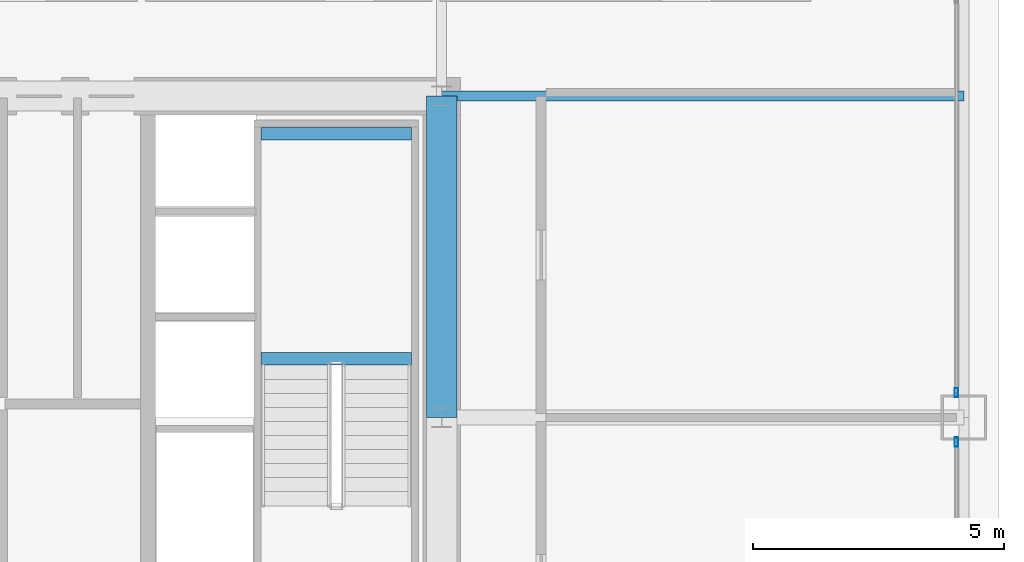
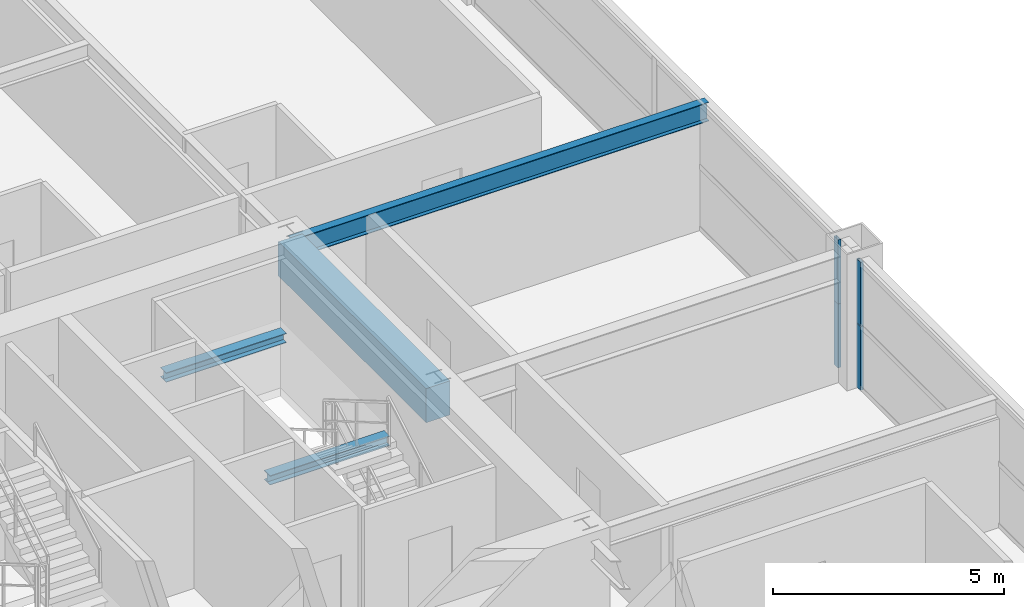
# One storey, part 20 of 39: 4 beams, 4 members, 2 elements without a shape of their own.
"""IFC4 building model written with IfcOpenShell, lengths in metres."""

from ifc_helpers import new_model, si_unit, direction, frame, origin, origin_2d, place, context, subcontext, project, spatial, rectangle, hollow_rectangle, i_section, extrude, source, transform, mapped, material, layer, layer_set, material_profile, profile_set, type_object, element, aggregate, save


model = new_model("IFC4")

# Units and contexts
model_context = context("Model", 3, precision=1e-05, world=origin(), true_north=direction((0.0, 1.0)))
body_context = subcontext(model_context, "Body", "Model", "MODEL_VIEW")
ifc_project = project(units=[si_unit("LENGTHUNIT", "METRE"), si_unit("AREAUNIT", "SQUARE_METRE"), si_unit("VOLUMEUNIT", "CUBIC_METRE"), si_unit("PLANEANGLEUNIT", "RADIAN"), si_unit("MASSUNIT", "GRAM", prefix="KILO"), si_unit("THERMODYNAMICTEMPERATUREUNIT", "KELVIN"), si_unit("POWERUNIT", "WATT")], contexts=[model_context])

# Site, building, storey
site_placement = place(None, origin())
site = spatial("IfcSite", under=ifc_project, at=site_placement, CompositionType="ELEMENT")
building_placement = place(site_placement, origin())
building = spatial("IfcBuilding", under=site, at=building_placement, Name="Yuzanri Waterfront Tower", CompositionType="ELEMENT")
storey_placement = place(building_placement, frame((0.0, 0.0, 156.0)))
storey = spatial("IfcBuildingStorey", under=building, at=storey_placement, Name="L41", CompositionType="ELEMENT", Elevation=156.0)

# Beams
ifc_material_1 = material(Name="Concrete C60", Category="concrete")
ifc_material_profile_1 = material_profile(ifc_material_1, rectangle(XDim=0.60009765625, YDim=0.89990234375, at=origin_2d()), Name="RC 600x900")
ifc_profile_set_1 = profile_set([ifc_material_profile_1], Name="Concrete C60")
beam_type_1 = type_object("IfcBeamType", Name="Core Coupling Lintel Concrete C60 600x900", PredefinedType="LINTEL", material=ifc_profile_set_1)
shared_shape_1 = source(origin(), body_context, "Body", "SweptSolid", [
    extrude(rectangle(XDim=0.60009765625, YDim=0.89990234375, at=origin_2d()), origin(), (0.0, 0.0, 1.0), 6.39990234375),
])
beam_1_placement = place(storey_placement, frame((50.199951171875, 25.800048828125, 2.929931640625), z_axis=(0.0, 1.0, 0.0), x_axis=(-1.0, 0.0, 0.0)))
element("IfcBeam", 1, at=beam_1_placement, inside=storey, type_object=beam_type_1, Name="L41 Core Tie Beam CE2", PredefinedType="LINTEL", context=body_context, shape_type="MappedRepresentation", body=[
    mapped(shared_shape_1, transform((0.0, 0.0, 0.0), scale=1.0)),
])
ifc_material_2 = material(Name="Steel Q355B", Category="steel")
ifc_material_profile_2 = material_profile(ifc_material_2, i_section(OverallWidth=0.199951171875, OverallDepth=0.5, WebThickness=0.010009765625, FlangeThickness=0.01611328125, at=origin_2d()), Name="HN 500x200x10x16")
ifc_profile_set_2 = profile_set([ifc_material_profile_2], Name="Steel Q355B")
beam_type_2 = type_object("IfcBeamType", Name="Secondary Floor Beam Q355B HN 500x200", PredefinedType="BEAM", material=ifc_profile_set_2)
shared_shape_2 = source(origin(), body_context, "Body", "SweptSolid", [
    extrude(i_section(OverallWidth=0.199951171875, OverallDepth=0.5, WebThickness=0.010009765625, FlangeThickness=0.01611328125, at=origin_2d()), origin(), (0.0, 0.0, 1.0), 10.400146484375),
])
beam_2_placement = place(storey_placement, frame((50.199951171875, 32.199951171875, 3.1298828125), z_axis=(1.0, 0.0, 0.0), x_axis=(0.0, 1.0, 0.0)))
element("IfcBeam", 2, at=beam_2_placement, inside=storey, type_object=beam_type_2, Name="L41 East-North Core Line Beam", PredefinedType="BEAM", context=body_context, shape_type="MappedRepresentation", body=[
    mapped(shared_shape_2, transform((0.0, 0.0, 0.0), scale=1.0)),
])

# Curtain wall, members
ifc_material_3 = material(Name="Anodized Architectural Bronze", Category="metal")
ifc_layer = layer(ifc_material_3, 0.159912109375)
ifc_layer_set = layer_set([ifc_layer], Name="Anodized Architectural Bronze")
curtain_wall_type = type_object("IfcCurtainWallType", Name="Anodized Bronze Hotel Upper-Tier Solar-Control Unitized Curtain Wall 7800", PredefinedType="NOTDEFINED", material=ifc_layer_set)
curtain_wall_1_placement = place(storey_placement, origin())
curtain_wall_1 = element("IfcCurtainWall", 3, at=curtain_wall_1_placement, inside=storey, type_object=curtain_wall_type, Name="L41 Curtain Wall CW-L41-EL", PredefinedType="NOTDEFINED")
ifc_material_4 = material(Name="Anodized Architectural Bronze", Category="metal")
ifc_material_profile_3 = material_profile(ifc_material_4, hollow_rectangle(XDim=0.070068359375, YDim=0.179931640625, WallThickness=0.00390625, at=origin_2d()), Name="CWM 70x180")
ifc_profile_set_3 = profile_set([ifc_material_profile_3], Name="Anodized Architectural Bronze")
member_type = type_object("IfcMemberType", Name="Anodized Bronze Standard Curtain-Wall Mullion 70x180", PredefinedType="MULLION", material=ifc_profile_set_3)
shared_shape_3 = source(origin(), body_context, "Body", "SweptSolid", [
    extrude(hollow_rectangle(XDim=0.070068359375, YDim=0.179931640625, WallThickness=0.00390625, at=origin_2d()), origin(), (0.0, 0.0, 1.0), 1.68798828125),
])
member_1_placement = place(storey_placement, frame((60.449951171875, 25.31005859375, 0.0), z_axis=(0.0, 0.0, 1.0), x_axis=(1.0, 0.0, 0.0)))
member_1 = element("IfcMember", 4, at=member_1_placement, type_object=member_type, Name="CW-L41-EL Lower Mullion 02", PredefinedType="MULLION", context=body_context, shape_type="MappedRepresentation", body=[
    mapped(shared_shape_3, transform((0.0, 0.0, 0.0), scale=1.0)),
])
member_2_placement = place(storey_placement, frame((60.449951171875, 25.31005859375, 1.69189453125), z_axis=(0.0, 0.0, 1.0), x_axis=(1.0, 0.0, 0.0)))
member_2 = element("IfcMember", 5, at=member_2_placement, type_object=member_type, Name="CW-L41-EL Upper Mullion 02", PredefinedType="MULLION", context=body_context, shape_type="MappedRepresentation", body=[
    mapped(shared_shape_3, transform((0.0, 0.0, 0.0), scale=1.0)),
])
aggregate(curtain_wall_1, [member_1, member_2])

curtain_wall_2_placement = place(storey_placement, origin())
curtain_wall_2 = element("IfcCurtainWall", 6, at=curtain_wall_2_placement, inside=storey, type_object=curtain_wall_type, Name="L41 Curtain Wall CW-L41-ER", PredefinedType="NOTDEFINED")
member_3_placement = place(storey_placement, frame((60.449951171875, 26.2900390625, 0.0), z_axis=(0.0, 0.0, 1.0), x_axis=(1.0, 0.0, 0.0)))
member_3 = element("IfcMember", 7, at=member_3_placement, type_object=member_type, Name="CW-L41-ER Lower Mullion 00", PredefinedType="MULLION", context=body_context, shape_type="MappedRepresentation", body=[
    mapped(shared_shape_3, transform((0.0, 0.0, 0.0), scale=1.0)),
])
member_4_placement = place(storey_placement, frame((60.449951171875, 26.2900390625, 1.69189453125), z_axis=(0.0, 0.0, 1.0), x_axis=(1.0, 0.0, 0.0)))
member_4 = element("IfcMember", 8, at=member_4_placement, type_object=member_type, Name="CW-L41-ER Upper Mullion 00", PredefinedType="MULLION", context=body_context, shape_type="MappedRepresentation", body=[
    mapped(shared_shape_3, transform((0.0, 0.0, 0.0), scale=1.0)),
])
aggregate(curtain_wall_2, [member_3, member_4])

# Beams
ifc_material_5 = material(Name="Steel Q355B", Category="steel")
ifc_material_profile_4 = material_profile(ifc_material_5, i_section(OverallWidth=0.25, OverallDepth=0.25, WebThickness=0.009033203125, FlangeThickness=0.013916015625, at=origin_2d()), Name="HW 250x250x9x14")
ifc_profile_set_4 = profile_set([ifc_material_profile_4], Name="Steel Q355B")
beam_type_3 = type_object("IfcBeamType", Name="Stair Landing Support Beam Q355B HW 250x250", PredefinedType="BEAM", material=ifc_profile_set_4)
shared_shape_4 = source(origin(), body_context, "Body", "SweptSolid", [
    extrude(i_section(OverallWidth=0.25, OverallDepth=0.25, WebThickness=0.009033203125, FlangeThickness=0.013916015625, at=origin_2d()), origin(), (0.0, 0.0, 1.0), 3.0),
])
for number, where, z_axis, x_axis, name in (
    (9, (46.60009765625, 26.969970703125, 1.47509765625), (1.0, 0.0, 0.0), (0.0, 1.0, 0.0), "L41 Stair Landing Support Beam ST-02-L41-L1-1"),
    (10, (46.60009765625, 31.449951171875, 1.47509765625), (1.0, 0.0, 0.0), (0.0, 1.0, 0.0), "L41 Stair Landing Support Beam ST-02-L41-L1-2"),
):
    element("IfcBeam", number, at=place(storey_placement, frame(where, z_axis=z_axis, x_axis=x_axis)), inside=storey, type_object=beam_type_3, Name=name, PredefinedType="BEAM", context=body_context, shape_type="MappedRepresentation", body=[
        mapped(shared_shape_4, transform((0.0, 0.0, 0.0), scale=1.0)),
    ])

save(model, "model.ifc")
